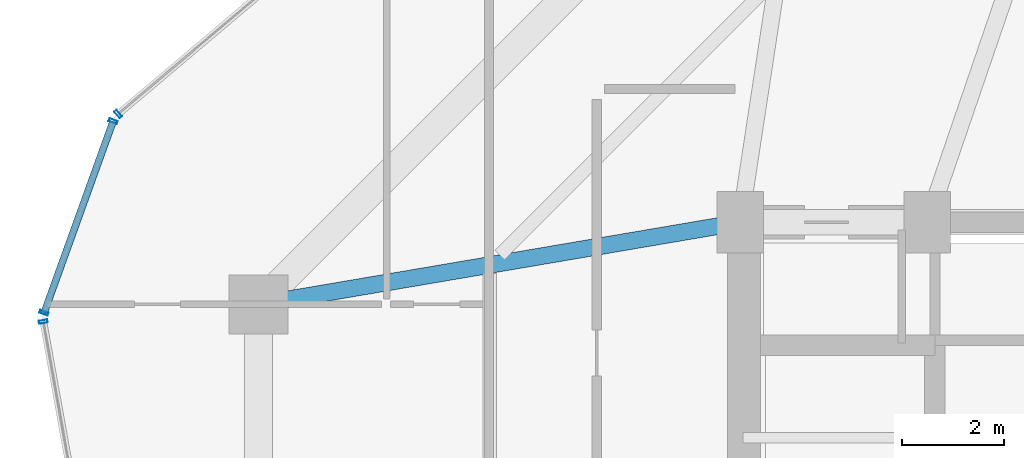
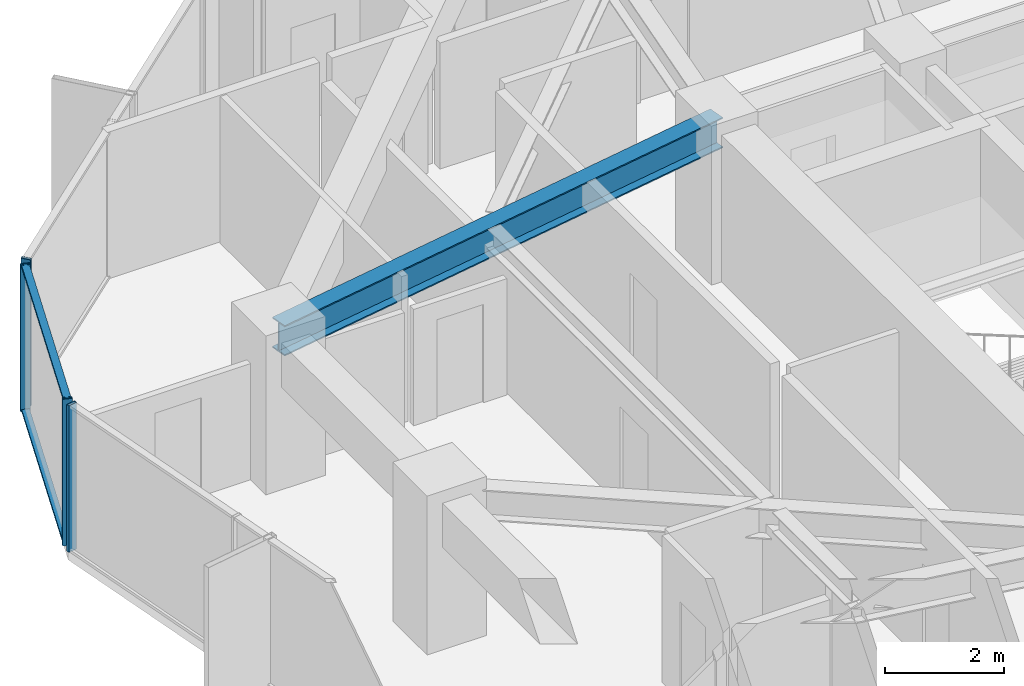
# One storey, part 13 of 36: 6 members, 1 beam, 3 elements without a shape of their own.
"""IFC4 building model written with IfcOpenShell, lengths in metres."""

from ifc_helpers import new_model, si_unit, direction, frame, origin, origin_2d, place, context, subcontext, project, spatial, hollow_rectangle, i_section, extrude, source, transform, mapped, material, layer, layer_set, material_profile, profile_set, type_object, element, aggregate, save


model = new_model("IFC4")

# Units and contexts
model_context = context("Model", 3, precision=1e-05, world=origin(), true_north=direction((0.0, 1.0)))
body_context = subcontext(model_context, "Body", "Model", "MODEL_VIEW")
ifc_project = project(units=[si_unit("LENGTHUNIT", "METRE"), si_unit("AREAUNIT", "SQUARE_METRE"), si_unit("VOLUMEUNIT", "CUBIC_METRE"), si_unit("PLANEANGLEUNIT", "RADIAN"), si_unit("MASSUNIT", "GRAM", prefix="KILO")], contexts=[model_context])

# Site, building, storey
site_placement = place(None, origin())
site = spatial("IfcSite", under=ifc_project, at=site_placement, CompositionType="ELEMENT")
building_placement = place(site_placement, origin())
building = spatial("IfcBuilding", under=site, at=building_placement, Name="Veraguas Prism Commons", CompositionType="ELEMENT")
storey_placement = place(building_placement, frame((0.0, 0.0, 163.050048828125)))
storey = spatial("IfcBuildingStorey", under=building, at=storey_placement, Name="L46", CompositionType="ELEMENT", Elevation=163.050048828125)

# Beam
ifc_material_1 = material(Name="Steel ASTM A992 Grade 50", Category="steel")
ifc_material_profile_1 = material_profile(ifc_material_1, i_section(OverallWidth=0.327880859375, OverallDepth=0.6220703125, WebThickness=0.015380859375, FlangeThickness=0.0244140625, at=origin_2d()), Name="W610X195")
ifc_profile_set_1 = profile_set([ifc_material_profile_1], Name="Steel ASTM A992 Grade 50")
beam_type = type_object("IfcBeamType", Name="Zone 2 Radial Girder W610x195", PredefinedType="BEAM", material=ifc_profile_set_1)
beam_placement = place(storey_placement, frame((7.800048828125, 29.39990234375, 2.68896484375), z_axis=(0.985819187151, 0.1678109956, 0.0), x_axis=(-0.1678109956, 0.985819187151, 0.0)))
element("IfcBeam", 1, at=beam_placement, inside=storey, type_object=beam_type, Name="Radial Floor Girder L46-RD07", PredefinedType="BEAM", context=body_context, shape_type="SweptSolid", body=[
    extrude(i_section(OverallWidth=0.327880859375, OverallDepth=0.6220703125, WebThickness=0.015380859375, FlangeThickness=0.0244140625, at=origin_2d()), origin(), (0.0, 0.0, 1.0), 9.53515625),
])

# Curtain wall, member
ifc_material_2 = material(Name="Anodised aluminium EN AW-6063 T6", Category="aluminium")
ifc_layer = layer(ifc_material_2, 0.169921875, Name="Unitised Flush Curtain Wall Zone 2", Category="aluminium")
ifc_layer_set = layer_set([ifc_layer], Name="Anodised aluminium EN AW-6063 T6")
curtain_wall_type = type_object("IfcCurtainWallType", Name="Unitised Flush Curtain Wall Zone 2", PredefinedType="NOTDEFINED", material=ifc_layer_set)
curtain_wall_1_placement = place(storey_placement, origin())
curtain_wall_1 = element("IfcCurtainWall", 2, at=curtain_wall_1_placement, inside=storey, type_object=curtain_wall_type, Name="Tower Facade Curtain Wall L46-F2", PredefinedType="NOTDEFINED")
ifc_material_profile_2 = material_profile(ifc_material_2, hollow_rectangle(XDim=0.06005859375, YDim=0.169921875, WallThickness=0.00390625, at=origin_2d()), Name="AL60X170X4")
ifc_profile_set_2 = profile_set([ifc_material_profile_2], Name="Anodised aluminium EN AW-6063 T6")
member_type_1 = type_object("IfcMemberType", Name="Curtain Wall Mullion Lower AL 60x170x4", PredefinedType="MULLION", material=ifc_profile_set_2)
shared_shape_1 = source(origin(), body_context, "Body", "SweptSolid", [
    extrude(hollow_rectangle(XDim=0.06005859375, YDim=0.169921875, WallThickness=0.00390625, at=origin_2d()), origin(), (0.0, 0.0, 1.0), 3.0),
])
member_1_placement = place(storey_placement, frame((5.062744140625, 33.115478515625, 0.0), z_axis=(0.0, 0.0, 1.0), x_axis=(-0.764022415403, -0.645189699826, 0.0)))
member_1 = element("IfcMember", 3, at=member_1_placement, type_object=member_type_1, Name="CW-Z2 Mullion 5", PredefinedType="MULLION", context=body_context, shape_type="MappedRepresentation", body=[
    mapped(shared_shape_1, transform((0.0, 0.0, 0.0), scale=1.0)),
])
aggregate(curtain_wall_1, [member_1])

curtain_wall_2_placement = place(storey_placement, origin())
curtain_wall_2 = element("IfcCurtainWall", 4, at=curtain_wall_2_placement, inside=storey, type_object=curtain_wall_type, Name="Tower Facade Curtain Wall L46-F3", PredefinedType="NOTDEFINED")
member_2_placement = place(storey_placement, frame((3.601806640625, 29.061767578125, 0.0), z_axis=(0.0, 0.0, 1.0), x_axis=(0.176741180461, -0.984257362243, 0.0)))
member_2 = element("IfcMember", 5, at=member_2_placement, type_object=member_type_1, Name="CW-Z2 Mullion 1", PredefinedType="MULLION", context=body_context, shape_type="MappedRepresentation", body=[
    mapped(shared_shape_1, transform((0.0, 0.0, 0.0), scale=1.0)),
])
aggregate(curtain_wall_2, [member_2])

# Curtain wall, members
curtain_wall_3_placement = place(storey_placement, origin())
curtain_wall_3 = element("IfcCurtainWall", 6, at=curtain_wall_3_placement, inside=storey, type_object=curtain_wall_type, Name="Chamfer Curtain Wall L46-C3", PredefinedType="NOTDEFINED")
member_3_placement = place(storey_placement, frame((4.963623046875, 32.97265625, 0.0), z_axis=(0.0, 0.0, 1.0), x_axis=(-0.339082748298, -0.940756551828, 0.0)))
member_3 = element("IfcMember", 7, at=member_3_placement, type_object=member_type_1, Name="CW-Z2 Mullion 1", PredefinedType="MULLION", context=body_context, shape_type="MappedRepresentation", body=[
    mapped(shared_shape_1, transform((0.0, 0.0, 0.0), scale=1.0)),
])
member_4_placement = place(storey_placement, frame((3.616455078125, 29.23486328125, 0.0), z_axis=(0.0, 0.0, 1.0), x_axis=(-0.339082748298, -0.940756551828, 0.0)))
member_4 = element("IfcMember", 8, at=member_4_placement, type_object=member_type_1, Name="CW-Z2 Mullion 2", PredefinedType="MULLION", context=body_context, shape_type="MappedRepresentation", body=[
    mapped(shared_shape_1, transform((0.0, 0.0, 0.0), scale=1.0)),
])
ifc_material_profile_3 = material_profile(ifc_material_2, hollow_rectangle(XDim=0.054931640625, YDim=0.135009765625, WallThickness=0.0029296875, at=origin_2d()), Name="AL55X135X3")
ifc_profile_set_3 = profile_set([ifc_material_profile_3], Name="Anodised aluminium EN AW-6063 T6")
member_type_2 = type_object("IfcMemberType", Name="Curtain Wall Transom Standard AL 55x135x3", PredefinedType="USERDEFINED", material=ifc_profile_set_3)
shared_shape_2 = source(origin(), body_context, "Body", "SweptSolid", [
    extrude(hollow_rectangle(XDim=0.054931640625, YDim=0.135009765625, WallThickness=0.0029296875, at=origin_2d()), origin(), (0.0, 0.0, 1.0), 3.97314453125),
])
member_5_placement = place(storey_placement, frame((4.963623046875, 32.97265625, 0.02734375), z_axis=(-0.339067589854, -0.940762015342, 0.0), x_axis=(0.0, 0.0, 1.0)))
member_5 = element("IfcMember", 9, at=member_5_placement, type_object=member_type_2, Name="CW-Z2 Transom 1", ObjectType="TRANSOM", PredefinedType="USERDEFINED", context=body_context, shape_type="MappedRepresentation", body=[
    mapped(shared_shape_2, transform((0.0, 0.0, 0.0), scale=1.0)),
])
member_6_placement = place(storey_placement, frame((4.963623046875, 32.97265625, 2.972412109375), z_axis=(-0.339067589854, -0.940762015342, 0.0), x_axis=(0.0, 0.0, 1.0)))
member_6 = element("IfcMember", 10, at=member_6_placement, type_object=member_type_2, Name="CW-Z2 Transom 2", ObjectType="TRANSOM", PredefinedType="USERDEFINED", context=body_context, shape_type="MappedRepresentation", body=[
    mapped(shared_shape_2, transform((0.0, 0.0, 0.0), scale=1.0)),
])
aggregate(curtain_wall_3, [member_3, member_4, member_5, member_6])

save(model, "model.ifc")
